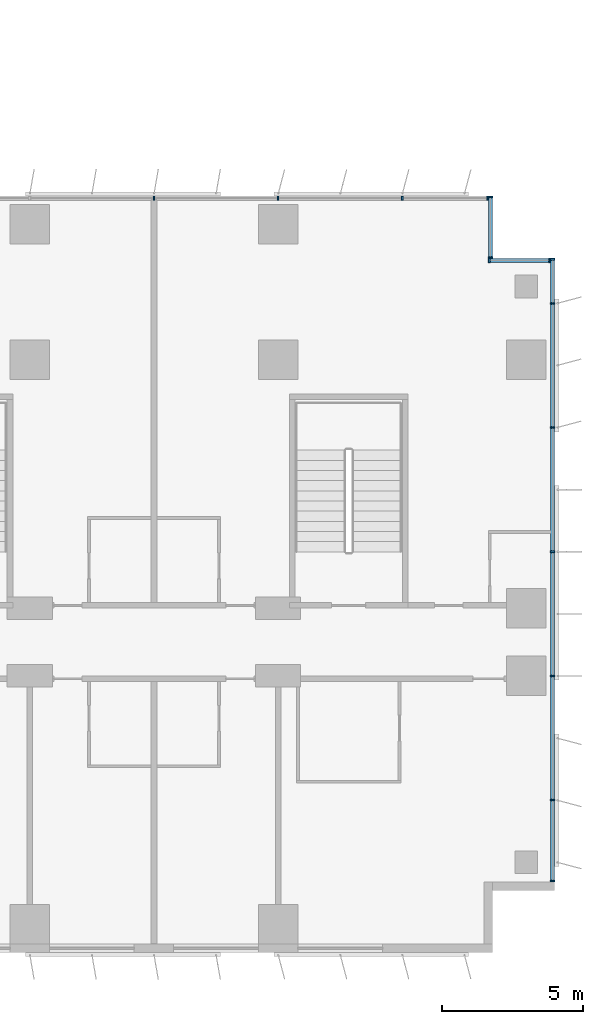
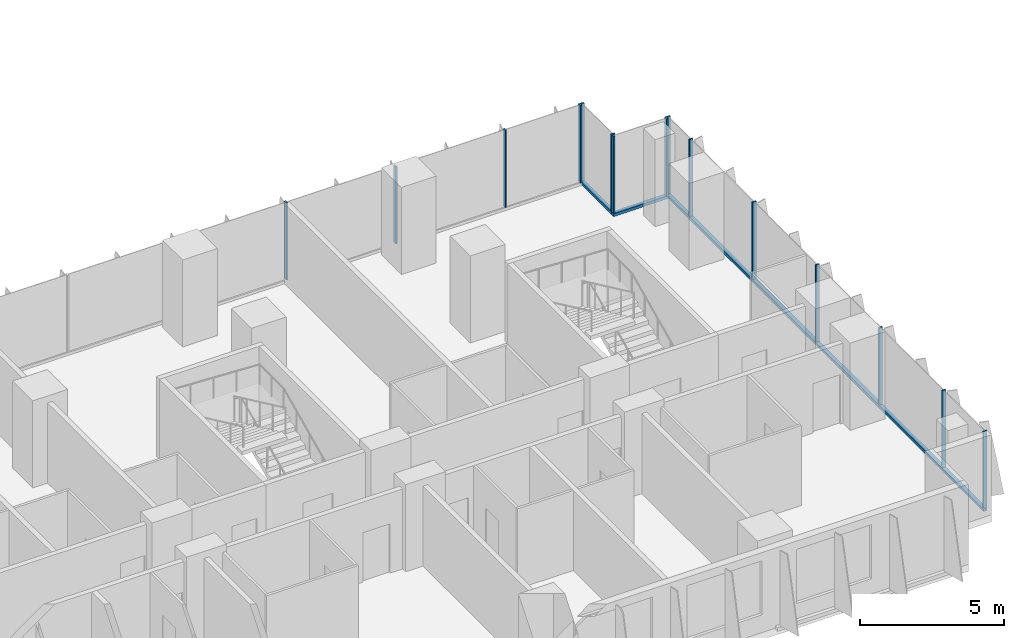
# One storey, part 8 of 24: 18 members, 4 elements without a shape of their own.
"""IFC4 building model written with IfcOpenShell, lengths in metres."""

import ifcopenshell
import ifcopenshell.guid

model = None  # the IFC model being written
_history = None  # IfcOwnerHistory: only IFC2X3 demands one
_inside = {}  # id of a spatial element -> (the spatial element, [elements in it])
_under = {}  # id of a project, library or spatial element -> (it, [spatial elements below it])
_declared = {}  # id of a project -> (the project, [libraries it declares])
_typed = {}  # id of a type object -> (the type object, [elements of that type])
_made_of = {}  # id of a material, layer set ... -> (it, [elements and type objects made of it])


def new_model(schema):
    """Start an empty IFC model of exactly this schema.

    Asked for "IFC4X3", IfcOpenShell would pick the latest addendum, in which some entities
    have other attributes; the version numbers below select the first issue.
    IFC2X3 requires an IfcOwnerHistory on every rooted entity: one is made here for all.
    """
    global model, _history
    if schema == "IFC4X3":
        model = ifcopenshell.file(schema_version=(4, 3, 0, 0))
    else:
        model = ifcopenshell.file(schema=schema)
    _inside.clear()
    _under.clear()
    _declared.clear()
    _typed.clear()
    _made_of.clear()
    _history = None
    if model.schema == "IFC2X3":
        org = make("IfcOrganization", Name="unknown")
        user = make(
            "IfcPersonAndOrganization",
            ThePerson=make("IfcPerson", FamilyName="unknown"),
            TheOrganization=org,
        )
        app = make(
            "IfcApplication",
            ApplicationDeveloper=org,
            Version="unknown",
            ApplicationFullName="unknown",
            ApplicationIdentifier="unknown",
        )
        _history = make(
            "IfcOwnerHistory",
            OwningUser=user,
            OwningApplication=app,
            ChangeAction="ADDED",
            CreationDate=0,
        )
    return model


def make(cls, **values):
    """One entity of the class cls with the attributes given. An attribute that is None is left unset."""
    return model.create_entity(
        cls, **{name: value for name, value in values.items() if value is not None}
    )


def rooted(cls, **values):
    """An entity with a GlobalId (a new one), such as an element, a storey or a relation."""
    return make(cls, GlobalId=ifcopenshell.guid.new(), OwnerHistory=_history, **values)


def si_unit(unit_type, name, prefix=None):
    """IfcSIUnit, for example si_unit("LENGTHUNIT", "METRE", prefix="MILLI")."""
    return make("IfcSIUnit", UnitType=unit_type, Prefix=prefix, Name=name)


def assignment(units):
    """IfcUnitAssignment: the units of a project."""
    return None if units is None else make("IfcUnitAssignment", Units=units)


def point(xyz):
    """IfcCartesianPoint."""
    return None if xyz is None else make("IfcCartesianPoint", Coordinates=xyz)


def direction(xyz):
    """IfcDirection."""
    return None if xyz is None else make("IfcDirection", DirectionRatios=xyz)


def frame(location, z_axis=None, x_axis=None):
    """IfcAxis2Placement3D, a coordinate frame: its origin and axes. An axis left out is left unset."""
    return make(
        "IfcAxis2Placement3D",
        Location=point(location),
        Axis=direction(z_axis),
        RefDirection=direction(x_axis),
    )


def frame_2d(location, x_axis=None):
    """IfcAxis2Placement2D, a coordinate frame in the plane: its origin and x axis."""
    return make(
        "IfcAxis2Placement2D", Location=point(location), RefDirection=direction(x_axis)
    )


def origin():
    """The frame at (0, 0, 0) with its axes left unset."""
    return frame((0.0, 0.0, 0.0))


def origin_2d():
    """The frame at (0, 0) in the plane with its x axis left unset."""
    return frame_2d((0.0, 0.0))


def place(relative_to, where):
    """IfcLocalPlacement: puts the frame where relative to a parent placement (None: the world)."""
    return make(
        "IfcLocalPlacement", PlacementRelTo=relative_to, RelativePlacement=where
    )


def context(
    kind, dimensions, precision=None, world=None, true_north=None, identifier=None
):
    """IfcGeometricRepresentationContext, for example the 3D "Model" context."""
    return make(
        "IfcGeometricRepresentationContext",
        ContextIdentifier=identifier,
        ContextType=kind,
        CoordinateSpaceDimension=dimensions,
        Precision=precision,
        WorldCoordinateSystem=world,
        TrueNorth=true_north,
    )


def subcontext(parent, identifier, kind, view, scale=None):
    """IfcGeometricRepresentationSubContext, for example "Body" below "Model"."""
    return make(
        "IfcGeometricRepresentationSubContext",
        ContextIdentifier=identifier,
        ContextType=kind,
        ParentContext=parent,
        TargetScale=scale,
        TargetView=view,
    )


def project(units=None, contexts=None):
    """IfcProject with its units and contexts."""
    return rooted(
        "IfcProject",
        Name="project",
        RepresentationContexts=contexts,
        UnitsInContext=assignment(units),
    )


def spatial(cls, under=None, at=None, **own):
    """A site, building, storey or space (cls), placed at a placement, below another one or the project."""
    s = rooted(cls, ObjectPlacement=at, **own)
    if under is not None:
        _under.setdefault(under.id(), (under, []))[1].append(s)
    return s


def profile(cls, at=None, kind="AREA", **sizes):
    """A parametric profile (cls). Its sizes go by their IFC names, for example OverallWidth=200.0."""
    return make(cls, ProfileType=kind, Position=at, **sizes)


def rectangle(**sizes):
    """IfcRectangleProfileDef."""
    return profile("IfcRectangleProfileDef", **sizes)


def extrude(swept, where, along, depth):
    """IfcExtrudedAreaSolid: the profile swept, set in the frame where, extruded along a direction by depth."""
    return make(
        "IfcExtrudedAreaSolid",
        SweptArea=swept,
        Position=where,
        ExtrudedDirection=direction(along),
        Depth=depth,
    )


def shape(context_of_items, identifier, shape_type, items):
    """IfcShapeRepresentation: the items that make up one representation, for example the "Body"."""
    return make(
        "IfcShapeRepresentation",
        ContextOfItems=context_of_items,
        RepresentationIdentifier=identifier,
        RepresentationType=shape_type,
        Items=items,
    )


def source(mapping_origin, context_of_items, identifier, shape_type, items):
    """IfcRepresentationMap: a shape defined once, which mapped items show again and again."""
    return make(
        "IfcRepresentationMap",
        MappingOrigin=mapping_origin,
        MappedRepresentation=shape(context_of_items, identifier, shape_type, items),
    )


def transform(
    local_origin,
    x_axis=None,
    y_axis=None,
    z_axis=None,
    scale=None,
    scale2=None,
    scale3=None,
    uniform=True,
):
    """IfcCartesianTransformationOperator3D, or its non-uniform kind. x_axis, y_axis, z_axis: its Axis1, 2, 3."""
    if uniform:
        return make(
            "IfcCartesianTransformationOperator3D",
            Axis1=direction(x_axis),
            Axis2=direction(y_axis),
            LocalOrigin=point(local_origin),
            Scale=scale,
            Axis3=direction(z_axis),
        )
    return make(
        "IfcCartesianTransformationOperator3DnonUniform",
        Axis1=direction(x_axis),
        Axis2=direction(y_axis),
        LocalOrigin=point(local_origin),
        Scale=scale,
        Axis3=direction(z_axis),
        Scale2=scale2,
        Scale3=scale3,
    )


def mapped(mapping_source, mapping_target):
    """IfcMappedItem: shows the shape of a source again, moved by a transform."""
    return make(
        "IfcMappedItem", MappingSource=mapping_source, MappingTarget=mapping_target
    )


def material(Name=None, Category=None):
    """IfcMaterial."""
    return make("IfcMaterial", Name=Name, Category=Category)


def material_profile(
    of_material, cross_section, Name=None, Category=None, Priority=None
):
    """IfcMaterialProfile: a cross section and its material."""
    return make(
        "IfcMaterialProfile",
        Name=Name,
        Material=of_material,
        Profile=cross_section,
        Priority=Priority,
        Category=Category,
    )


def profile_set(profiles, Name=None, composite=None):
    """IfcMaterialProfileSet."""
    return make(
        "IfcMaterialProfileSet",
        Name=Name,
        MaterialProfiles=profiles,
        CompositeProfile=composite,
    )


def made_of(thing, what):
    """Note that an element or type object is made of a material, layer set ...; save() writes the relation."""
    if what is not None:
        _made_of.setdefault(what.id(), (what, []))[1].append(thing)
    return thing


def type_object(cls, material=None, **own):
    """A type object (cls), such as IfcWallType, which elements share."""
    return made_of(rooted(cls, **own), material)


def element(
    cls,
    number,
    at=None,
    inside=None,
    cuts=None,
    type_object=None,
    material=None,
    context=None,
    identifier="Body",
    shape_type=None,
    held_by="IfcProductDefinitionShape",
    body=None,
    shapes=None,
    **own,
):
    """One element of the class cls, such as IfcWall. Its Tag is "e" and its number.

    at: its placement. inside: the storey or other place that contains it. cuts: it is an
    opening in that element (IfcRelVoidsElement). A single representation is given by context,
    identifier, shape_type and body (its items); several are given by shapes. held_by: the class
    of the entity that holds the representations. save() writes the other relations.
    """
    e = rooted(cls, Tag="e%d" % number, ObjectPlacement=at, **own)
    if body is not None:
        shapes = [shape(context, identifier, shape_type, body)]
    if shapes is not None:
        e.Representation = make(held_by, Representations=shapes)
    if inside is not None:
        _inside.setdefault(inside.id(), (inside, []))[1].append(e)
    if cuts is not None:
        rooted(
            "IfcRelVoidsElement", RelatingBuildingElement=cuts, RelatedOpeningElement=e
        )
    if type_object is not None:
        _typed.setdefault(type_object.id(), (type_object, []))[1].append(e)
    return made_of(e, material)


def aggregate(whole, parts):
    """IfcRelAggregates: a whole, such as a stair, and the parts it consists of."""
    return rooted("IfcRelAggregates", RelatingObject=whole, RelatedObjects=parts)


def save(model, path):
    """Write the relations noted so far, then the file.

    IfcRelAggregates (storeys below a building ...), IfcRelContainedInSpatialStructure (elements
    in a storey), IfcRelDefinesByType, IfcRelAssociatesMaterial and IfcRelDeclares: one each for
    every whole, place, type object, material and project.
    """
    for whole, parts in _under.values():
        aggregate(whole, parts)
    for where, things in _inside.values():
        rooted(
            "IfcRelContainedInSpatialStructure",
            RelatedElements=things,
            RelatingStructure=where,
        )
    for kind, things in _typed.values():
        rooted("IfcRelDefinesByType", RelatedObjects=things, RelatingType=kind)
    for what, things in _made_of.values():
        rooted("IfcRelAssociatesMaterial", RelatedObjects=things, RelatingMaterial=what)
    for by, libraries in _declared.values():
        rooted("IfcRelDeclares", RelatingContext=by, RelatedDefinitions=libraries)
    model.write(path)


model = new_model("IFC4")

# Units and contexts
model_context = context("Model", 3, precision=1e-05, world=origin(), true_north=direction((0.0, 1.0)))
body_context = subcontext(model_context, "Body", "Model", "MODEL_VIEW")
ifc_project = project(units=[si_unit("LENGTHUNIT", "METRE"), si_unit("AREAUNIT", "SQUARE_METRE"), si_unit("VOLUMEUNIT", "CUBIC_METRE"), si_unit("PLANEANGLEUNIT", "RADIAN"), si_unit("MASSUNIT", "GRAM", prefix="KILO")], contexts=[model_context])

# Site, building, storey
site_placement = place(None, origin())
site = spatial("IfcSite", under=ifc_project, at=site_placement, CompositionType="ELEMENT")
building_placement = place(site_placement, origin())
building = spatial("IfcBuilding", under=site, at=building_placement, Name="Kemantara Hotel Tower", CompositionType="ELEMENT")
storey_placement = place(building_placement, frame((0.0, 0.0, 37.699951171875)))
storey = spatial("IfcBuildingStorey", under=building, at=storey_placement, Name="L07", CompositionType="ELEMENT", Elevation=37.699951171875)

# Curtain wall, member
ifc_material_1 = material(Name="Low-E tinted double insulated glass 36 mm", Category="glass")
curtain_wall_type = type_object("IfcCurtainWallType", Name="TOWER CURTAIN WALL, FRONT FACES", PredefinedType="USERDEFINED", material=ifc_material_1)
curtain_wall_1_placement = place(storey_placement, origin())
curtain_wall_1 = element("IfcCurtainWall", 1, at=curtain_wall_1_placement, inside=storey, type_object=curtain_wall_type, Name="CW4 L07 T1-R04-1", ObjectType="TOWER CURTAIN WALL, FRONT FACES", PredefinedType="USERDEFINED")
ifc_material_2 = material(Name="Aluminium 6063-T6 bronze anodised", Category="aluminium")
ifc_material_profile_1 = material_profile(ifc_material_2, rectangle(XDim=0.14990234375, YDim=0.1201171875, at=origin_2d()), Name="TOWER CURTAIN WALL, FRONT FACES TRANSOM")
ifc_profile_set_1 = profile_set([ifc_material_profile_1], Name="Aluminium 6063-T6 bronze anodised")
member_type_1 = type_object("IfcMemberType", Name="TOWER CURTAIN WALL, FRONT FACES TRANSOM", PredefinedType="USERDEFINED", material=ifc_profile_set_1)
member_1_placement = place(storey_placement, frame((81.125, 2.5, 0.06005859375), z_axis=(0.0, 1.0, 0.0), x_axis=(-1.0, 0.0, 0.0)))
member_1 = element("IfcMember", 2, at=member_1_placement, type_object=member_type_1, Name="CW4 sill transom T1-R04-1", ObjectType="TRANSOM", PredefinedType="USERDEFINED", context=body_context, shape_type="SweptSolid", body=[
    extrude(rectangle(XDim=0.14990234375, YDim=0.1201171875, at=origin_2d()), origin(), (0.0, 0.0, 1.0), 22.10009765625),
])

curtain_wall_2_placement = place(storey_placement, origin())
curtain_wall_2 = element("IfcCurtainWall", 3, at=curtain_wall_2_placement, inside=storey, type_object=curtain_wall_type, Name="CW4 L07 T1-R05-1", ObjectType="TOWER CURTAIN WALL, FRONT FACES", PredefinedType="USERDEFINED")
member_2_placement = place(storey_placement, frame((81.050048828125, 24.52490234375, 0.06005859375), z_axis=(-1.0, 0.0, 0.0), x_axis=(0.0, -1.0, 0.0)))
member_2 = element("IfcMember", 4, at=member_2_placement, type_object=member_type_1, Name="CW4 sill transom T1-R05-1", ObjectType="TRANSOM", PredefinedType="USERDEFINED", context=body_context, shape_type="SweptSolid", body=[
    extrude(rectangle(XDim=0.14990234375, YDim=0.1201171875, at=origin_2d()), origin(), (0.0, 0.0, 1.0), 2.199951171875),
])

curtain_wall_3_placement = place(storey_placement, origin())
curtain_wall_3 = element("IfcCurtainWall", 5, at=curtain_wall_3_placement, inside=storey, type_object=curtain_wall_type, Name="CW4 L07 T1-R06-1", ObjectType="TOWER CURTAIN WALL, FRONT FACES", PredefinedType="USERDEFINED")
member_3_placement = place(storey_placement, frame((78.925048828125, 24.60009765625, 0.06005859375), z_axis=(0.0, 1.0, 0.0), x_axis=(-1.0, 0.0, 0.0)))
member_3 = element("IfcMember", 6, at=member_3_placement, type_object=member_type_1, Name="CW4 sill transom T1-R06-1", ObjectType="TRANSOM", PredefinedType="USERDEFINED", context=body_context, shape_type="SweptSolid", body=[
    extrude(rectangle(XDim=0.14990234375, YDim=0.1201171875, at=origin_2d()), origin(), (0.0, 0.0, 1.0), 2.199951171875),
])

# Member
ifc_material_profile_2 = material_profile(ifc_material_2, rectangle(XDim=0.14990234375, YDim=0.06005859375, at=origin_2d()), Name="TOWER CURTAIN WALL, FRONT FACES MULLION")
ifc_profile_set_2 = profile_set([ifc_material_profile_2], Name="Aluminium 6063-T6 bronze anodised")
member_type_2 = type_object("IfcMemberType", Name="TOWER CURTAIN WALL, FRONT FACES MULLION", PredefinedType="MULLION", material=ifc_profile_set_2)
shared_shape = source(origin(), body_context, "Body", "SweptSolid", [
    extrude(rectangle(XDim=0.14990234375, YDim=0.06005859375, at=origin_2d()), origin(), (0.0, 0.0, 1.0), 3.280029296875),
])
member_4_placement = place(storey_placement, frame((81.125, 2.530029296875, 0.1201171875), z_axis=(0.0, 0.0, 1.0), x_axis=(-1.0, 0.0, 0.0)))
member_4 = element("IfcMember", 7, at=member_4_placement, type_object=member_type_2, Name="CW4 mullion T1-R04-1.1", PredefinedType="MULLION", context=body_context, shape_type="MappedRepresentation", body=[
    mapped(shared_shape, transform((0.0, 0.0, 0.0))),
])

member_5_placement = place(storey_placement, frame((81.125, 5.39990234375, 0.1201171875), z_axis=(0.0, 0.0, 1.0), x_axis=(-1.0, 0.0, 0.0)))
member_5 = element("IfcMember", 8, at=member_5_placement, type_object=member_type_2, Name="CW4 mullion T1-R04-1.2", PredefinedType="MULLION", context=body_context, shape_type="MappedRepresentation", body=[
    mapped(shared_shape, transform((0.0, 0.0, 0.0))),
])

member_6_placement = place(storey_placement, frame((81.125, 9.800048828125, 0.1201171875), z_axis=(0.0, 0.0, 1.0), x_axis=(-1.0, 0.0, 0.0)))
member_6 = element("IfcMember", 9, at=member_6_placement, type_object=member_type_2, Name="CW4 mullion T1-R04-1.3", PredefinedType="MULLION", context=body_context, shape_type="MappedRepresentation", body=[
    mapped(shared_shape, transform((0.0, 0.0, 0.0))),
])

member_7_placement = place(storey_placement, frame((81.125, 14.199951171875, 0.1201171875), z_axis=(0.0, 0.0, 1.0), x_axis=(-1.0, 0.0, 0.0)))
member_7 = element("IfcMember", 10, at=member_7_placement, type_object=member_type_2, Name="CW4 mullion T1-R04-1.4", PredefinedType="MULLION", context=body_context, shape_type="MappedRepresentation", body=[
    mapped(shared_shape, transform((0.0, 0.0, 0.0))),
])

member_8_placement = place(storey_placement, frame((81.125, 18.60009765625, 0.1201171875), z_axis=(0.0, 0.0, 1.0), x_axis=(-1.0, 0.0, 0.0)))
member_8 = element("IfcMember", 11, at=member_8_placement, type_object=member_type_2, Name="CW4 mullion T1-R04-1.5", PredefinedType="MULLION", context=body_context, shape_type="MappedRepresentation", body=[
    mapped(shared_shape, transform((0.0, 0.0, 0.0))),
])

member_9_placement = place(storey_placement, frame((81.125, 23.0, 0.1201171875), z_axis=(0.0, 0.0, 1.0), x_axis=(-1.0, 0.0, 0.0)))
member_9 = element("IfcMember", 12, at=member_9_placement, type_object=member_type_2, Name="CW4 mullion T1-R04-1.6", PredefinedType="MULLION", context=body_context, shape_type="MappedRepresentation", body=[
    mapped(shared_shape, transform((0.0, 0.0, 0.0))),
])

member_10_placement = place(storey_placement, frame((81.125, 24.570068359375, 0.1201171875), z_axis=(0.0, 0.0, 1.0), x_axis=(-1.0, 0.0, 0.0)))
member_10 = element("IfcMember", 13, at=member_10_placement, type_object=member_type_2, Name="CW4 mullion T1-R04-1.7", PredefinedType="MULLION", context=body_context, shape_type="MappedRepresentation", body=[
    mapped(shared_shape, transform((0.0, 0.0, 0.0))),
])

aggregate(curtain_wall_1, [member_1, member_4, member_5, member_6, member_7, member_8, member_9, member_10])

# Curtain wall, members
curtain_wall_4_placement = place(storey_placement, origin())
curtain_wall_4 = element("IfcCurtainWall", 14, at=curtain_wall_4_placement, inside=storey, type_object=curtain_wall_type, Name="CW4 L07 T1-R07-1", ObjectType="TOWER CURTAIN WALL, FRONT FACES", PredefinedType="USERDEFINED")
member_11_placement = place(storey_placement, frame((78.820068359375, 26.72509765625, 0.1201171875), z_axis=(0.0, 0.0, 1.0), x_axis=(0.0, -1.0, 0.0)))
member_11 = element("IfcMember", 15, at=member_11_placement, type_object=member_type_2, Name="CW4 mullion T1-R07-1.1", PredefinedType="MULLION", context=body_context, shape_type="MappedRepresentation", body=[
    mapped(shared_shape, transform((0.0, 0.0, 0.0))),
])
member_12_placement = place(storey_placement, frame((75.800048828125, 26.72509765625, 0.1201171875), z_axis=(0.0, 0.0, 1.0), x_axis=(0.0, -1.0, 0.0)))
member_12 = element("IfcMember", 16, at=member_12_placement, type_object=member_type_2, Name="CW4 mullion T1-R07-1.2", PredefinedType="MULLION", context=body_context, shape_type="MappedRepresentation", body=[
    mapped(shared_shape, transform((0.0, 0.0, 0.0))),
])
member_13_placement = place(storey_placement, frame((71.39990234375, 26.72509765625, 0.1201171875), z_axis=(0.0, 0.0, 1.0), x_axis=(0.0, -1.0, 0.0)))
member_13 = element("IfcMember", 17, at=member_13_placement, type_object=member_type_2, Name="CW4 mullion T1-R07-1.3", PredefinedType="MULLION", context=body_context, shape_type="MappedRepresentation", body=[
    mapped(shared_shape, transform((0.0, 0.0, 0.0))),
])
member_14_placement = place(storey_placement, frame((67.0, 26.72509765625, 0.1201171875), z_axis=(0.0, 0.0, 1.0), x_axis=(0.0, -1.0, 0.0)))
member_14 = element("IfcMember", 18, at=member_14_placement, type_object=member_type_2, Name="CW4 mullion T1-R07-1.4", PredefinedType="MULLION", context=body_context, shape_type="MappedRepresentation", body=[
    mapped(shared_shape, transform((0.0, 0.0, 0.0))),
])
aggregate(curtain_wall_4, [member_11, member_12, member_13, member_14])

# Member
member_15_placement = place(storey_placement, frame((81.02001953125, 24.52490234375, 0.1201171875), z_axis=(0.0, 0.0, 1.0), x_axis=(0.0, -1.0, 0.0)))
member_15 = element("IfcMember", 19, at=member_15_placement, type_object=member_type_2, Name="CW4 mullion T1-R05-1.1", PredefinedType="MULLION", context=body_context, shape_type="MappedRepresentation", body=[
    mapped(shared_shape, transform((0.0, 0.0, 0.0))),
])

member_16_placement = place(storey_placement, frame((78.8798828125, 24.52490234375, 0.1201171875), z_axis=(0.0, 0.0, 1.0), x_axis=(0.0, -1.0, 0.0)))
member_16 = element("IfcMember", 20, at=member_16_placement, type_object=member_type_2, Name="CW4 mullion T1-R05-1.2", PredefinedType="MULLION", context=body_context, shape_type="MappedRepresentation", body=[
    mapped(shared_shape, transform((0.0, 0.0, 0.0))),
])

aggregate(curtain_wall_2, [member_2, member_15, member_16])

member_17_placement = place(storey_placement, frame((78.925048828125, 24.6298828125, 0.1201171875), z_axis=(0.0, 0.0, 1.0), x_axis=(-1.0, 0.0, 0.0)))
member_17 = element("IfcMember", 21, at=member_17_placement, type_object=member_type_2, Name="CW4 mullion T1-R06-1.1", PredefinedType="MULLION", context=body_context, shape_type="MappedRepresentation", body=[
    mapped(shared_shape, transform((0.0, 0.0, 0.0))),
])

member_18_placement = place(storey_placement, frame((78.925048828125, 26.77001953125, 0.1201171875), z_axis=(0.0, 0.0, 1.0), x_axis=(-1.0, 0.0, 0.0)))
member_18 = element("IfcMember", 22, at=member_18_placement, type_object=member_type_2, Name="CW4 mullion T1-R06-1.2", PredefinedType="MULLION", context=body_context, shape_type="MappedRepresentation", body=[
    mapped(shared_shape, transform((0.0, 0.0, 0.0))),
])

aggregate(curtain_wall_3, [member_3, member_17, member_18])

save(model, "model.ifc")
